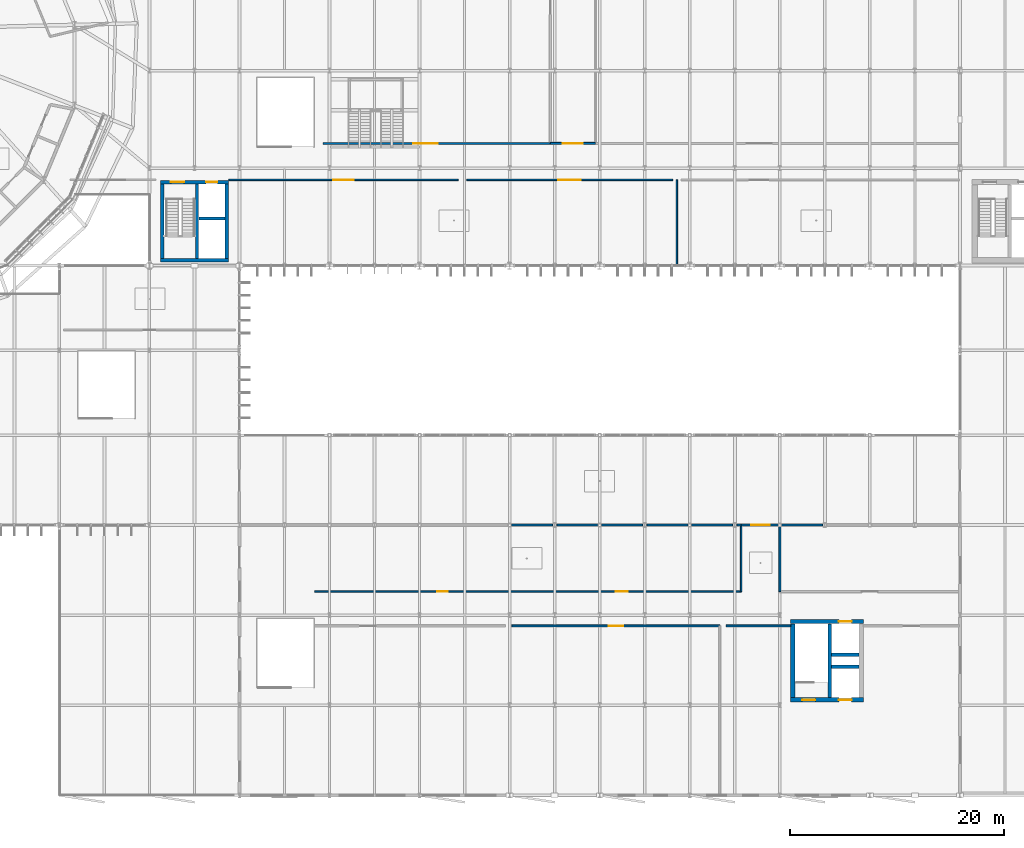
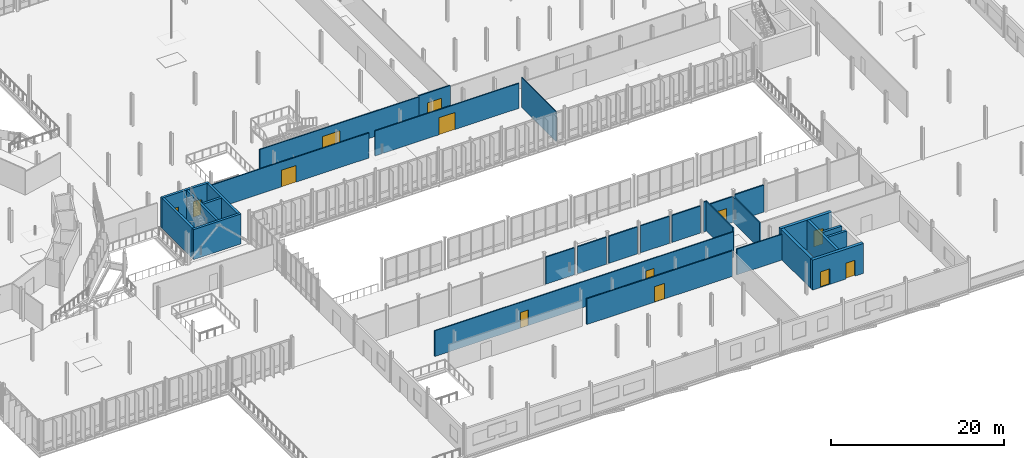
# One storey, part 103 of 139: 30 walls, 13 doors, 13 openings.
"""IFC4 building model written with IfcOpenShell, lengths in metres."""

from ifc_helpers import new_model, si_unit, derived_unit, direction, frame, frame_2d, origin, place, context, subcontext, project, spatial, rectangle, extrude, material, layer, layer_set, type_object, element, fill, save


model = new_model("IFC4")

# Units and contexts
model_context = context("Model", 3, precision=1e-05, world=origin(), true_north=direction((0.0, 1.0)))
body_context = subcontext(model_context, "Body", "Model", "MODEL_VIEW")
ifc_project = project(units=[si_unit("LENGTHUNIT", "METRE"), si_unit("AREAUNIT", "SQUARE_METRE"), si_unit("VOLUMEUNIT", "CUBIC_METRE"), si_unit("PLANEANGLEUNIT", "RADIAN"), si_unit("MASSUNIT", "GRAM", prefix="KILO"), derived_unit("THERMALTRANSMITTANCEUNIT", [(si_unit("MASSUNIT", "GRAM", prefix="KILO"), 1), (si_unit("TIMEUNIT", "SECOND"), -3), (si_unit("THERMODYNAMICTEMPERATUREUNIT", "KELVIN"), -1)])], contexts=[model_context])

# Site, building, storey
site_placement = place(None, origin())
site = spatial("IfcSite", under=ifc_project, at=site_placement, CompositionType="ELEMENT")
building_placement = place(site_placement, origin())
building = spatial("IfcBuilding", under=site, at=building_placement, Name="Makaiwela Harbour Ferry Terminal", CompositionType="ELEMENT")
storey_placement = place(building_placement, frame((0.0, 0.0, 5.10009765625)))
storey = spatial("IfcBuildingStorey", under=building, at=storey_placement, Name="L01", CompositionType="ELEMENT", Elevation=5.10009765625)

# Walls
ifc_material_1 = material(Name="Fire-rated gypsum board on steel studs", Category="steel")
ifc_layer_1 = layer(ifc_material_1, 0.1650390625)
ifc_layer_set_1 = layer_set([ifc_layer_1], Name="Fire-rated gypsum board on steel studs")
wall_type_1 = type_object("IfcWallType", Name="INT-WL-FIR165", PredefinedType="PARTITIONING", material=ifc_layer_set_1)
wall_1_placement = place(storey_placement, frame((96.751953125, 25.199951171875, 0.0), z_axis=(0.0, 0.0, 1.0), x_axis=(1.0, 0.0, 0.0)))
element("IfcWall", 1, at=wall_1_placement, inside=storey, type_object=wall_type_1, Name="Interior Wall IW-0516", PredefinedType="PARTITIONING", context=body_context, shape_type="SweptSolid", body=[
    extrude(rectangle(XDim=3.8486328125, YDim=0.1650390625, at=frame_2d((1.92431640625, 0.0))), origin(), (0.0, 0.0, 1.0), 3.803955078125),
])
for number, where, z_axis, x_axis, name in (
    (2, (100.99951171875, 25.199951171875, 0.0), (0.0, 0.0, 1.0), (1.0, 0.0, 0.0), "Interior Wall IW-0517"),
    (3, (105.152099609375, 25.199951171875, 0.0), (0.0, 0.0, 1.0), (1.0, 0.0, 0.0), "Interior Wall IW-0518"),
):
    element("IfcWall", number, at=place(storey_placement, frame(where, z_axis=z_axis, x_axis=x_axis)), inside=storey, type_object=wall_type_1, Name=name, PredefinedType="PARTITIONING", context=body_context, shape_type="SweptSolid", body=[
        extrude(rectangle(XDim=3.848388671875, YDim=0.1650390625, at=frame_2d((1.92431640625, 0.0))), origin(), (0.0, 0.0, 1.0), 3.803955078125),
    ])
wall_2_placement = place(storey_placement, frame((109.3994140625, 25.199951171875, 0.0), z_axis=(0.0, 0.0, 1.0), x_axis=(1.0, 0.0, 0.0)))
element("IfcWall", 4, at=wall_2_placement, inside=storey, type_object=wall_type_1, Name="Interior Wall IW-0519", PredefinedType="PARTITIONING", context=body_context, shape_type="SweptSolid", body=[
    extrude(rectangle(XDim=3.8486328125, YDim=0.1650390625, at=frame_2d((1.92431640625, 0.0))), origin(), (0.0, 0.0, 1.0), 3.803955078125),
])
wall_3_placement = place(storey_placement, frame((113.552001953125, 25.199951171875, 0.0), z_axis=(0.0, 0.0, 1.0), x_axis=(1.0, 0.0, 0.0)))
element("IfcWall", 5, at=wall_3_placement, inside=storey, type_object=wall_type_1, Name="Interior Wall IW-0520", PredefinedType="PARTITIONING", context=body_context, shape_type="SweptSolid", body=[
    extrude(rectangle(XDim=3.848388671875, YDim=0.1650390625, at=frame_2d((1.92431640625, 0.0))), origin(), (0.0, 0.0, 1.0), 3.803955078125),
])
wall_4_placement = place(storey_placement, frame((117.799560546875, 25.199951171875, 0.0), z_axis=(0.0, 0.0, 1.0), x_axis=(1.0, 0.0, 0.0)))
element("IfcWall", 6, at=wall_4_placement, inside=storey, type_object=wall_type_1, Name="Interior Wall IW-0521", PredefinedType="PARTITIONING", context=body_context, shape_type="SweptSolid", body=[
    extrude(rectangle(XDim=0.400390625, YDim=0.1650390625, at=frame_2d((0.2001953125, 0.0))), origin(), (0.0, 0.0, 1.0), 4.199951171875),
])

# Wall, opening, door
wall_5_placement = place(storey_placement, frame((118.199951171875, 25.199951171875, 0.0), z_axis=(0.0, 0.0, 1.0), x_axis=(1.0, 0.0, 0.0)))
wall_5 = element("IfcWall", 7, at=wall_5_placement, inside=storey, type_object=wall_type_1, Name="Interior Wall IW-0522", PredefinedType="PARTITIONING", context=body_context, shape_type="SweptSolid", body=[
    extrude(rectangle(XDim=3.60009765625, YDim=0.1650390625, at=frame_2d((1.800048828125, 0.0))), origin(), (0.0, 0.0, 1.0), 3.622802734375),
])
opening_1_placement = place(wall_5_placement, frame((0.949951171875, 0.0, 0.0)))
opening_1 = element("IfcOpeningElement", 8, at=opening_1_placement, cuts=wall_5, Name="Opening D-04", PredefinedType="OPENING", context=body_context, shape_type="SweptSolid", body=[
    extrude(rectangle(XDim=1.699951171875, YDim=2.25, at=frame_2d((0.85009765625, 1.125))), frame((0.0, 0.092529296875, 0.0), z_axis=(0.0, -1.0, 0.0), x_axis=(1.0, 0.0, 0.0)), (0.0, 0.0, 1.0), 0.18505859375),
])
ifc_material_2 = material(Name="Insulated galvanised fire-rated steel leaf and frame", Category="steel")
door_type_1 = type_object("IfcDoorType", Name="INT-DR-COR170", OperationType="NOTDEFINED", PredefinedType="DOOR", material=ifc_material_2)
door_1_placement = place(opening_1_placement, frame((1.699951171875, 0.0, 0.0), z_axis=(0.0, 0.0, 1.0), x_axis=(-1.0, 0.0, 0.0)))
door_1 = element("IfcDoor", 9, at=door_1_placement, inside=storey, type_object=door_type_1, Name="Door D-04", OperationType="DOUBLE_DOOR_SINGLE_SWING", OverallHeight=2.25, OverallWidth=1.699951171875, PredefinedType="DOOR", context=body_context, shape_type="SweptSolid", body=[
    extrude(rectangle(XDim=1.699951171875, YDim=2.25, at=frame_2d((0.85009765625, 1.125))), frame((0.0, 0.02490234375, 0.0), z_axis=(0.0, -1.0, 0.0), x_axis=(1.0, 0.0, 0.0)), (0.0, 0.0, 1.0), 0.050048828125),
])
fill(opening_1, door_1)

# Walls
wall_6_placement = place(storey_placement, frame((121.951904296875, 25.199951171875, 0.0), z_axis=(0.0, 0.0, 1.0), x_axis=(1.0, 0.0, 0.0)))
element("IfcWall", 10, at=wall_6_placement, inside=storey, type_object=wall_type_1, Name="Interior Wall IW-0523", PredefinedType="PARTITIONING", context=body_context, shape_type="SweptSolid", body=[
    extrude(rectangle(XDim=3.8486328125, YDim=0.1650390625, at=frame_2d((1.92431640625, 0.0))), origin(), (0.0, 0.0, 1.0), 3.803955078125),
])
wall_7_placement = place(storey_placement, frame((116.800048828125, 15.800048828125, 0.0), z_axis=(0.0, 0.0, 1.0), x_axis=(1.0, 0.0, 0.0)))
element("IfcWall", 11, at=wall_7_placement, inside=storey, type_object=wall_type_1, Name="Interior Wall IW-0529", PredefinedType="PARTITIONING", context=body_context, shape_type="SweptSolid", body=[
    extrude(rectangle(XDim=6.0, YDim=0.1650390625, at=frame_2d((3.0, 0.0))), origin(), (0.0, 0.0, 1.0), 3.622802734375),
])

# Wall, opening, door
wall_8_placement = place(storey_placement, frame((96.800048828125, 15.800048828125, 0.0), z_axis=(0.0, 0.0, 1.0), x_axis=(1.0, 0.0, 0.0)))
wall_8 = element("IfcWall", 12, at=wall_8_placement, inside=storey, type_object=wall_type_1, Name="Interior Wall IW-0531", PredefinedType="PARTITIONING", context=body_context, shape_type="SweptSolid", body=[
    extrude(rectangle(XDim=19.39990234375, YDim=0.1650390625, at=frame_2d((9.699951171875, 0.0))), origin(), (0.0, 0.0, 1.0), 3.622802734375),
])
opening_2_placement = place(wall_8_placement, frame((9.02490234375, 0.0, 0.0)))
opening_2 = element("IfcOpeningElement", 13, at=opening_2_placement, cuts=wall_8, Name="Opening D-15", PredefinedType="OPENING", context=body_context, shape_type="SweptSolid", body=[
    extrude(rectangle(XDim=1.35009765625, YDim=2.199951171875, at=frame_2d((0.675048828125, 1.10009765625))), frame((0.0, 0.092529296875, 0.0), z_axis=(0.0, -1.0, 0.0), x_axis=(1.0, 0.0, 0.0)), (0.0, 0.0, 1.0), 0.18505859375),
])
door_type_2 = type_object("IfcDoorType", Name="INT-DR-STR135", OperationType="NOTDEFINED", PredefinedType="DOOR", material=ifc_material_2)
door_2_placement = place(opening_2_placement, origin())
door_2 = element("IfcDoor", 14, at=door_2_placement, inside=storey, type_object=door_type_2, Name="Door D-15", OperationType="SINGLE_SWING_LEFT", OverallHeight=2.199951171875, OverallWidth=1.35009765625, PredefinedType="DOOR", context=body_context, shape_type="SweptSolid", body=[
    extrude(rectangle(XDim=1.35009765625, YDim=2.199951171875, at=frame_2d((0.675048828125, 1.10009765625))), frame((0.0, 0.02490234375, 0.0), z_axis=(0.0, -1.0, 0.0), x_axis=(1.0, 0.0, 0.0)), (0.0, 0.0, 1.0), 0.050048828125),
])
fill(opening_2, door_2)

ifc_layer_2 = layer(ifc_material_1, 0.179931640625)
ifc_layer_set_2 = layer_set([ifc_layer_2], Name="Fire-rated gypsum board on steel studs")
wall_type_2 = type_object("IfcWallType", Name="INT-WL-FIR180", PredefinedType="PARTITIONING", material=ifc_layer_set_2)
wall_9_placement = place(storey_placement, frame((100.39990234375, 60.800048828125, 0.0), z_axis=(0.0, 0.0, 1.0), x_axis=(1.0, 0.0, 0.0)))
wall_9 = element("IfcWall", 15, at=wall_9_placement, inside=storey, type_object=wall_type_2, Name="Interior Wall IW-0504", PredefinedType="PARTITIONING", context=body_context, shape_type="SweptSolid", body=[
    extrude(rectangle(XDim=4.2001953125, YDim=0.179931640625, at=frame_2d((2.10009765625, 0.0))), origin(), (0.0, 0.0, 1.0), 3.677978515625),
])
opening_3_placement = place(wall_9_placement, frame((1.175048828125, 0.0, 0.0)))
opening_3 = element("IfcOpeningElement", 16, at=opening_3_placement, cuts=wall_9, Name="Opening D-05", PredefinedType="OPENING", context=body_context, shape_type="SweptSolid", body=[
    extrude(rectangle(XDim=1.85009765625, YDim=2.300048828125, at=frame_2d((0.925048828125, 1.14990234375))), frame((0.0, 0.099853515625, 0.0), z_axis=(0.0, -1.0, 0.0), x_axis=(1.0, 0.0, 0.0)), (0.0, 0.0, 1.0), 0.199951171875),
])
door_type_3 = type_object("IfcDoorType", Name="INT-DR-COR185", OperationType="NOTDEFINED", PredefinedType="DOOR", material=ifc_material_2)
door_3_placement = place(opening_3_placement, frame((1.85009765625, 0.0, 0.0), z_axis=(0.0, 0.0, 1.0), x_axis=(-1.0, 0.0, 0.0)))
door_3 = element("IfcDoor", 17, at=door_3_placement, inside=storey, type_object=door_type_3, Name="Door D-05", OperationType="DOUBLE_DOOR_SINGLE_SWING", OverallHeight=2.300048828125, OverallWidth=1.85009765625, PredefinedType="DOOR", context=body_context, shape_type="SweptSolid", body=[
    extrude(rectangle(XDim=1.85009765625, YDim=2.300048828125, at=frame_2d((0.925048828125, 1.14990234375))), frame((0.0, 0.02490234375, 0.0), z_axis=(0.0, -1.0, 0.0), x_axis=(1.0, 0.0, 0.0)), (0.0, 0.0, 1.0), 0.050048828125),
])
fill(opening_3, door_3)

# Walls
wall_10_placement = place(storey_placement, frame((121.800048828125, 19.0, 0.0), z_axis=(0.0, 0.0, 1.0), x_axis=(0.0, 1.0, 0.0)))
element("IfcWall", 18, at=wall_10_placement, inside=storey, type_object=wall_type_2, Name="Interior Wall IW-0528", PredefinedType="PARTITIONING", context=body_context, shape_type="SweptSolid", body=[
    extrude(rectangle(XDim=6.199951171875, YDim=0.179931640625, at=frame_2d((3.10009765625, 0.0))), origin(), (0.0, 0.0, 1.0), 3.622802734375),
])
ifc_material_3 = material(Name="Moisture-resistant acoustic gypsum partition", Category="gypsum")
ifc_layer_3 = layer(ifc_material_3, 0.1201171875)
ifc_layer_set_3 = layer_set([ifc_layer_3], Name="Moisture-resistant acoustic gypsum partition")
wall_type_3 = type_object("IfcWallType", Name="INT-WL-PRT120", PredefinedType="PARTITIONING", material=ifc_layer_set_3)
wall_11_placement = place(storey_placement, frame((112.199951171875, 49.419921875, 0.0), z_axis=(0.0, 0.0, 1.0), x_axis=(0.0, 1.0, 0.0)))
element("IfcWall", 19, at=wall_11_placement, inside=storey, type_object=wall_type_3, Name="Interior Wall IW-0507", PredefinedType="PARTITIONING", context=body_context, shape_type="SweptSolid", body=[
    extrude(rectangle(XDim=7.97998046875, YDim=0.1201171875, at=frame_2d((3.989990234375, 0.0))), origin(), (0.0, 0.0, 1.0), 4.199951171875),
])
ifc_layer_4 = layer(ifc_material_3, 0.139892578125)
ifc_layer_set_4 = layer_set([ifc_layer_4], Name="Moisture-resistant acoustic gypsum partition")
wall_type_4 = type_object("IfcWallType", Name="INT-WL-PRT140", PredefinedType="PARTITIONING", material=ifc_layer_set_4)
wall_12_placement = place(storey_placement, frame((118.199951171875, 19.0, 0.0), z_axis=(0.0, 0.0, 1.0), x_axis=(0.0, 1.0, 0.0)))
element("IfcWall", 20, at=wall_12_placement, inside=storey, type_object=wall_type_4, Name="Interior Wall IW-0527", PredefinedType="PARTITIONING", context=body_context, shape_type="SweptSolid", body=[
    extrude(rectangle(XDim=6.199951171875, YDim=0.139892578125, at=frame_2d((3.10009765625, 0.0))), origin(), (0.0, 0.0, 1.0), 4.199951171875),
])

# Wall, openings, doors
wall_13_placement = place(storey_placement, frame((78.39990234375, 19.0, 0.0), z_axis=(0.0, 0.0, 1.0), x_axis=(1.0, 0.0, 0.0)))
wall_13 = element("IfcWall", 21, at=wall_13_placement, inside=storey, type_object=wall_type_4, Name="Interior Wall IW-0534", PredefinedType="PARTITIONING", context=body_context, shape_type="SweptSolid", body=[
    extrude(rectangle(XDim=39.800048828125, YDim=0.139892578125, at=frame_2d((19.89990234375, 0.0))), origin(), (0.0, 0.0, 1.0), 3.622802734375),
])
opening_4_placement = place(wall_13_placement, frame((11.429931640625, 0.0, 0.0)))
opening_4 = element("IfcOpeningElement", 22, at=opening_4_placement, cuts=wall_13, Name="Opening D-13", PredefinedType="OPENING", context=body_context, shape_type="SweptSolid", body=[
    extrude(rectangle(XDim=1.02001953125, YDim=2.199951171875, at=frame_2d((0.510009765625, 1.10009765625))), frame((0.0, 0.079833984375, 0.0), z_axis=(0.0, -1.0, 0.0), x_axis=(1.0, 0.0, 0.0)), (0.0, 0.0, 1.0), 0.159912109375),
])
opening_5_placement = place(wall_13_placement, frame((28.115966796875, 0.0, 0.0)))
opening_5 = element("IfcOpeningElement", 23, at=opening_5_placement, cuts=wall_13, Name="Opening D-14", PredefinedType="OPENING", context=body_context, shape_type="SweptSolid", body=[
    extrude(rectangle(XDim=1.080078125, YDim=2.199951171875, at=frame_2d((0.5400390625, 1.10009765625))), frame((0.0, 0.079833984375, 0.0), z_axis=(0.0, -1.0, 0.0), x_axis=(1.0, 0.0, 0.0)), (0.0, 0.0, 1.0), 0.159912109375),
])
ifc_material_4 = material(Name="Solid-core marine hardwood and painted steel frame", Category="steel")
door_type_4 = type_object("IfcDoorType", Name="INT-DR-OFF102", OperationType="NOTDEFINED", PredefinedType="DOOR", material=ifc_material_4)
door_4_placement = place(opening_4_placement, frame((1.02001953125, 0.0, 0.0), z_axis=(0.0, 0.0, 1.0), x_axis=(-1.0, 0.0, 0.0)))
door_4 = element("IfcDoor", 24, at=door_4_placement, inside=storey, type_object=door_type_4, Name="Door D-13", OperationType="SINGLE_SWING_LEFT", OverallHeight=2.199951171875, OverallWidth=1.02001953125, PredefinedType="DOOR", context=body_context, shape_type="SweptSolid", body=[
    extrude(rectangle(XDim=1.02001953125, YDim=2.199951171875, at=frame_2d((0.510009765625, 1.10009765625))), frame((0.0, 0.02490234375, 0.0), z_axis=(0.0, -1.0, 0.0), x_axis=(1.0, 0.0, 0.0)), (0.0, 0.0, 1.0), 0.050048828125),
])
fill(opening_4, door_4)
door_type_5 = type_object("IfcDoorType", Name="INT-DR-OFF108", OperationType="NOTDEFINED", PredefinedType="DOOR", material=ifc_material_4)
door_5_placement = place(opening_5_placement, frame((1.080078125, 0.0, 0.0), z_axis=(0.0, 0.0, 1.0), x_axis=(-1.0, 0.0, 0.0)))
door_5 = element("IfcDoor", 25, at=door_5_placement, inside=storey, type_object=door_type_5, Name="Door D-14", OperationType="SINGLE_SWING_RIGHT", OverallHeight=2.199951171875, OverallWidth=1.080078125, PredefinedType="DOOR", context=body_context, shape_type="SweptSolid", body=[
    extrude(rectangle(XDim=1.080078125, YDim=2.199951171875, at=frame_2d((0.5400390625, 1.10009765625))), frame((0.0, 0.02490234375, 0.0), z_axis=(0.0, -1.0, 0.0), x_axis=(1.0, 0.0, 0.0)), (0.0, 0.0, 1.0), 0.050048828125),
])
fill(opening_5, door_5)

# Wall, opening, door
ifc_layer_5 = layer(ifc_material_3, 0.14990234375)
ifc_layer_set_5 = layer_set([ifc_layer_5], Name="Moisture-resistant acoustic gypsum partition")
wall_type_5 = type_object("IfcWallType", Name="INT-WL-PRT150", PredefinedType="PARTITIONING", material=ifc_layer_set_5)
wall_14_placement = place(storey_placement, frame((70.39990234375, 57.39990234375, 0.0), z_axis=(0.0, 0.0, 1.0), x_axis=(1.0, 0.0, 0.0)))
wall_14 = element("IfcWall", 26, at=wall_14_placement, inside=storey, type_object=wall_type_5, Name="Interior Wall IW-0499", PredefinedType="PARTITIONING", context=body_context, shape_type="SweptSolid", body=[
    extrude(rectangle(XDim=21.400146484375, YDim=0.14990234375, at=frame_2d((10.7001953125, 0.0))), origin(), (0.0, 0.0, 1.0), 3.52197265625),
])
opening_6_placement = place(wall_14_placement, frame((9.72509765625, 0.0, 0.0)))
opening_6 = element("IfcOpeningElement", 27, at=opening_6_placement, cuts=wall_14, Name="Opening D-19", PredefinedType="OPENING", context=body_context, shape_type="SweptSolid", body=[
    extrude(rectangle(XDim=1.949951171875, YDim=2.35009765625, at=frame_2d((0.97509765625, 1.175048828125))), frame((0.0, 0.0849609375, 0.0), z_axis=(0.0, -1.0, 0.0), x_axis=(1.0, 0.0, 0.0)), (0.0, 0.0, 1.0), 0.169921875),
])
door_type_6 = type_object("IfcDoorType", Name="INT-DR-RET195", OperationType="NOTDEFINED", PredefinedType="DOOR", material=ifc_material_4)
door_6_placement = place(opening_6_placement, origin())
door_6 = element("IfcDoor", 28, at=door_6_placement, inside=storey, type_object=door_type_6, Name="Door D-19", OperationType="DOUBLE_DOOR_SINGLE_SWING", OverallHeight=2.35009765625, OverallWidth=1.949951171875, PredefinedType="DOOR", context=body_context, shape_type="SweptSolid", body=[
    extrude(rectangle(XDim=1.949951171875, YDim=2.35009765625, at=frame_2d((0.97509765625, 1.175048828125))), frame((0.0, 0.02490234375, 0.0), z_axis=(0.0, -1.0, 0.0), x_axis=(1.0, 0.0, 0.0)), (0.0, 0.0, 1.0), 0.050048828125),
])
fill(opening_6, door_6)

wall_15_placement = place(storey_placement, frame((92.60009765625, 57.39990234375, 0.0), z_axis=(0.0, 0.0, 1.0), x_axis=(1.0, 0.0, 0.0)))
wall_15 = element("IfcWall", 29, at=wall_15_placement, inside=storey, type_object=wall_type_5, Name="Interior Wall IW-0500", PredefinedType="PARTITIONING", context=body_context, shape_type="SweptSolid", body=[
    extrude(rectangle(XDim=19.199951171875, YDim=0.14990234375, at=frame_2d((9.60009765625, 0.0))), origin(), (0.0, 0.0, 1.0), 3.52197265625),
])
opening_7_placement = place(wall_15_placement, frame((8.550048828125, 0.0, 0.0)))
opening_7 = element("IfcOpeningElement", 30, at=opening_7_placement, cuts=wall_15, Name="Opening D-20", PredefinedType="OPENING", context=body_context, shape_type="SweptSolid", body=[
    extrude(rectangle(XDim=2.10009765625, YDim=2.39990234375, at=frame_2d((1.050048828125, 1.199951171875))), frame((0.0, 0.0849609375, 0.0), z_axis=(0.0, -1.0, 0.0), x_axis=(1.0, 0.0, 0.0)), (0.0, 0.0, 1.0), 0.169921875),
])
door_type_7 = type_object("IfcDoorType", Name="INT-DR-RET210", OperationType="NOTDEFINED", PredefinedType="DOOR", material=ifc_material_4)
door_7_placement = place(opening_7_placement, origin())
door_7 = element("IfcDoor", 31, at=door_7_placement, inside=storey, type_object=door_type_7, Name="Door D-20", OperationType="DOUBLE_DOOR_SINGLE_SWING", OverallHeight=2.39990234375, OverallWidth=2.10009765625, PredefinedType="DOOR", context=body_context, shape_type="SweptSolid", body=[
    extrude(rectangle(XDim=2.10009765625, YDim=2.39990234375, at=frame_2d((1.050048828125, 1.199951171875))), frame((0.0, 0.02490234375, 0.0), z_axis=(0.0, -1.0, 0.0), x_axis=(1.0, 0.0, 0.0)), (0.0, 0.0, 1.0), 0.050048828125),
])
fill(opening_7, door_7)

wall_16_placement = place(storey_placement, frame((79.199951171875, 60.800048828125, 0.0), z_axis=(0.0, 0.0, 1.0), x_axis=(1.0, 0.0, 0.0)))
wall_16 = element("IfcWall", 32, at=wall_16_placement, inside=storey, type_object=wall_type_5, Name="Interior Wall IW-0502", PredefinedType="PARTITIONING", context=body_context, shape_type="SweptSolid", body=[
    extrude(rectangle(XDim=21.199951171875, YDim=0.14990234375, at=frame_2d((10.60009765625, 0.0))), origin(), (0.0, 0.0, 1.0), 3.52197265625),
])
opening_8_placement = place(wall_16_placement, frame((8.389892578125, 0.0, 0.0)))
opening_8 = element("IfcOpeningElement", 33, at=opening_8_placement, cuts=wall_16, Name="Opening D-23", PredefinedType="OPENING", context=body_context, shape_type="SweptSolid", body=[
    extrude(rectangle(XDim=2.300048828125, YDim=2.449951171875, at=frame_2d((1.14990234375, 1.22509765625))), frame((0.0, 0.0849609375, 0.0), z_axis=(0.0, -1.0, 0.0), x_axis=(1.0, 0.0, 0.0)), (0.0, 0.0, 1.0), 0.169921875),
])
door_type_8 = type_object("IfcDoorType", Name="INT-DR-CON230", OperationType="NOTDEFINED", PredefinedType="DOOR", material=ifc_material_4)
door_8_placement = place(opening_8_placement, frame((2.300048828125, 0.0, 0.0), z_axis=(0.0, 0.0, 1.0), x_axis=(-1.0, 0.0, 0.0)))
door_8 = element("IfcDoor", 34, at=door_8_placement, inside=storey, type_object=door_type_8, Name="Door D-23", OperationType="DOUBLE_DOOR_SINGLE_SWING", OverallHeight=2.449951171875, OverallWidth=2.300048828125, PredefinedType="DOOR", context=body_context, shape_type="SweptSolid", body=[
    extrude(rectangle(XDim=2.300048828125, YDim=2.449951171875, at=frame_2d((1.14990234375, 1.22509765625))), frame((0.0, 0.02490234375, 0.0), z_axis=(0.0, -1.0, 0.0), x_axis=(1.0, 0.0, 0.0)), (0.0, 0.0, 1.0), 0.050048828125),
])
fill(opening_8, door_8)

# Wall
ifc_material_5 = material(Name="Concrete f'c 45 MPa (6500 psi)", Category="concrete")
ifc_layer_6 = layer(ifc_material_5, 0.320068359375)
ifc_layer_set_6 = layer_set([ifc_layer_6], Name="Concrete f'c 45 MPa (6500 psi)")
wall_type_6 = type_object("IfcWallType", Name="INT-WL-SHR320", PredefinedType="SHEAR", material=ifc_layer_set_6)
wall_17_placement = place(storey_placement, frame((64.0400390625, 49.89990234375, 0.0), z_axis=(0.0, 0.0, 1.0), x_axis=(1.0, 0.0, 0.0)))
element("IfcWall", 35, at=wall_17_placement, inside=storey, type_object=wall_type_6, Name="Interior Wall IW-0172", PredefinedType="SHEAR", context=body_context, shape_type="SweptSolid", body=[
    extrude(rectangle(XDim=6.320068359375, YDim=0.320068359375, at=frame_2d((3.16015625, 0.0))), origin(), (0.0, 0.0, 1.0), 4.219970703125),
])

# Wall, openings, doors
wall_18_placement = place(storey_placement, frame((64.0400390625, 57.199951171875, 0.0), z_axis=(0.0, 0.0, 1.0), x_axis=(1.0, 0.0, 0.0)))
wall_18 = element("IfcWall", 36, at=wall_18_placement, inside=storey, type_object=wall_type_6, Name="Interior Wall IW-0173", PredefinedType="SHEAR", context=body_context, shape_type="SweptSolid", body=[
    extrude(rectangle(XDim=6.320068359375, YDim=0.320068359375, at=frame_2d((3.16015625, 0.0))), origin(), (0.0, 0.0, 1.0), 4.219970703125),
])
opening_9_placement = place(wall_18_placement, frame((0.955078125, 0.0, 0.0)))
opening_9 = element("IfcOpeningElement", 37, at=opening_9_placement, cuts=wall_18, Name="Opening D-02", PredefinedType="OPENING", context=body_context, shape_type="SweptSolid", body=[
    extrude(rectangle(XDim=1.25, YDim=2.199951171875, at=frame_2d((0.625, 1.10009765625))), frame((0.0, 0.169921875, 0.0), z_axis=(0.0, -1.0, 0.0), x_axis=(1.0, 0.0, 0.0)), (0.0, 0.0, 1.0), 0.340087890625),
])
opening_10_placement = place(wall_18_placement, frame((4.2548828125, 0.0, 0.0)))
opening_10 = element("IfcOpeningElement", 38, at=opening_10_placement, cuts=wall_18, Name="Opening LD-01", PredefinedType="OPENING", context=body_context, shape_type="SweptSolid", body=[
    extrude(rectangle(XDim=1.050048828125, YDim=2.14990234375, at=frame_2d((0.52490234375, 1.074951171875))), frame((0.0, 0.169921875, 0.0), z_axis=(0.0, -1.0, 0.0), x_axis=(1.0, 0.0, 0.0)), (0.0, 0.0, 1.0), 0.340087890625),
])
ifc_material_6 = material(Name="Marine grade 316L brushed stainless steel", Category="steel")
door_type_9 = type_object("IfcDoorType", Name="INT-DR-LD105", OperationType="NOTDEFINED", PredefinedType="DOOR", material=ifc_material_6)
door_9_placement = place(opening_10_placement, origin())
door_9 = element("IfcDoor", 39, at=door_9_placement, inside=storey, type_object=door_type_9, Name="Door LD-01", OperationType="DOUBLE_DOOR_SLIDING", OverallHeight=2.14990234375, OverallWidth=1.050048828125, PredefinedType="DOOR", context=body_context, shape_type="SweptSolid", body=[
    extrude(rectangle(XDim=1.050048828125, YDim=2.14990234375, at=frame_2d((0.52490234375, 1.074951171875))), frame((0.0, 0.02490234375, 0.0), z_axis=(0.0, -1.0, 0.0), x_axis=(1.0, 0.0, 0.0)), (0.0, 0.0, 1.0), 0.050048828125),
])
fill(opening_10, door_9)
door_type_10 = type_object("IfcDoorType", Name="INT-DR-ST125", OperationType="NOTDEFINED", PredefinedType="DOOR", material=ifc_material_2)
door_10_placement = place(opening_9_placement, origin())
door_10 = element("IfcDoor", 40, at=door_10_placement, inside=storey, type_object=door_type_10, Name="Door D-02", OperationType="SINGLE_SWING_LEFT", OverallHeight=2.199951171875, OverallWidth=1.25, PredefinedType="DOOR", context=body_context, shape_type="SweptSolid", body=[
    extrude(rectangle(XDim=1.25, YDim=2.199951171875, at=frame_2d((0.625, 1.10009765625))), frame((0.0, 0.02490234375, 0.0), z_axis=(0.0, -1.0, 0.0), x_axis=(1.0, 0.0, 0.0)), (0.0, 0.0, 1.0), 0.050048828125),
])
fill(opening_9, door_10)

# Walls
for number, where, z_axis, x_axis, name in (
    (41, (64.199951171875, 50.070068359375, 0.0), (0.0, 0.0, 1.0), (0.0, 1.0, 0.0), "Interior Wall IW-0174"),
    (42, (70.199951171875, 50.070068359375, 0.0), (0.0, 0.0, 1.0), (0.0, 1.0, 0.0), "Interior Wall IW-0175"),
    (43, (67.43994140625, 50.070068359375, 0.0), (0.0, 0.0, 1.0), (0.0, 1.0, 0.0), "Interior Wall IW-0176"),
):
    element("IfcWall", number, at=place(storey_placement, frame(where, z_axis=z_axis, x_axis=x_axis)), inside=storey, type_object=wall_type_6, Name=name, PredefinedType="SHEAR", context=body_context, shape_type="SweptSolid", body=[
        extrude(rectangle(XDim=6.9599609375, YDim=0.320068359375, at=frame_2d((3.47998046875, 0.0))), origin(), (0.0, 0.0, 1.0), 4.219970703125),
    ])
wall_19_placement = place(storey_placement, frame((67.60498046875, 53.800048828125, 0.0), z_axis=(0.0, 0.0, 1.0), x_axis=(1.0, 0.0, 0.0)))
element("IfcWall", 44, at=wall_19_placement, inside=storey, type_object=wall_type_6, Name="Interior Wall IW-0177", PredefinedType="SHEAR", context=body_context, shape_type="SweptSolid", body=[
    extrude(rectangle(XDim=2.429931640625, YDim=0.320068359375, at=frame_2d((1.21484375, 0.0))), origin(), (0.0, 0.0, 1.0), 4.219970703125),
])
wall_20_placement = place(storey_placement, frame((126.4560546875, 9.110107421875, 0.0), z_axis=(0.0, 0.0, 1.0), x_axis=(0.0, 1.0, 0.0)))
element("IfcWall", 45, at=wall_20_placement, inside=storey, type_object=wall_type_6, Name="Interior Wall IW-0225", PredefinedType="SHEAR", context=body_context, shape_type="SweptSolid", body=[
    extrude(rectangle(XDim=6.8798828125, YDim=0.320068359375, at=frame_2d((3.43994140625, 0.0))), origin(), (0.0, 0.0, 1.0), 4.219970703125),
])
for number, where, z_axis, x_axis, name in (
    (46, (126.62109375, 11.989990234375, 0.0), (0.0, 0.0, 1.0), (1.0, 0.0, 0.0), "Interior Wall IW-0226"),
    (47, (126.62109375, 13.110107421875, 0.0), (0.0, 0.0, 1.0), (1.0, 0.0, 0.0), "Interior Wall IW-0227"),
):
    element("IfcWall", number, at=place(storey_placement, frame(where, z_axis=z_axis, x_axis=x_axis)), inside=storey, type_object=wall_type_6, Name=name, PredefinedType="SHEAR", context=body_context, shape_type="SweptSolid", body=[
        extrude(rectangle(XDim=2.573974609375, YDim=0.320068359375, at=frame_2d((1.287109375, 0.0))), origin(), (0.0, 0.0, 1.0), 4.219970703125),
    ])

# Wall, openings, doors
ifc_layer_7 = layer(ifc_material_5, 0.39990234375)
ifc_layer_set_7 = layer_set([ifc_layer_7], Name="Concrete f'c 45 MPa (6500 psi)")
wall_type_7 = type_object("IfcWallType", Name="INT-WL-SHR400", PredefinedType="SHEAR", material=ifc_layer_set_7)
wall_21_placement = place(storey_placement, frame((122.800048828125, 8.89990234375, 0.0), z_axis=(0.0, 0.0, 1.0), x_axis=(1.0, 0.0, 0.0)))
wall_21 = element("IfcWall", 48, at=wall_21_placement, inside=storey, type_object=wall_type_7, Name="Interior Wall IW-0221", PredefinedType="SHEAR", context=body_context, shape_type="SweptSolid", body=[
    extrude(rectangle(XDim=6.800048828125, YDim=0.39990234375, at=frame_2d((3.39990234375, 0.0))), origin(), (0.0, 0.0, 1.0), 4.219970703125),
])
opening_11_placement = place(wall_21_placement, frame((1.074951171875, 0.0, 0.0)))
opening_11 = element("IfcOpeningElement", 49, at=opening_11_placement, cuts=wall_21, Name="Opening D-02", PredefinedType="OPENING", context=body_context, shape_type="SweptSolid", body=[
    extrude(rectangle(XDim=1.25, YDim=2.199951171875, at=frame_2d((0.625, 1.10009765625))), frame((0.0, 0.2099609375, 0.0), z_axis=(0.0, -1.0, 0.0), x_axis=(1.0, 0.0, 0.0)), (0.0, 0.0, 1.0), 0.419921875),
])
opening_12_placement = place(wall_21_placement, frame((4.50830078125, 0.0, 0.0)))
opening_12 = element("IfcOpeningElement", 50, at=opening_12_placement, cuts=wall_21, Name="Opening LD-02", PredefinedType="OPENING", context=body_context, shape_type="SweptSolid", body=[
    extrude(rectangle(XDim=1.199951171875, YDim=2.25, at=frame_2d((0.60009765625, 1.125))), frame((0.0, 0.2099609375, 0.0), z_axis=(0.0, -1.0, 0.0), x_axis=(1.0, 0.0, 0.0)), (0.0, 0.0, 1.0), 0.419921875),
])
door_type_11 = type_object("IfcDoorType", Name="INT-DR-LD120", OperationType="NOTDEFINED", PredefinedType="DOOR", material=ifc_material_6)
door_11_placement = place(opening_12_placement, frame((1.199951171875, 0.0, 0.0), z_axis=(0.0, 0.0, 1.0), x_axis=(-1.0, 0.0, 0.0)))
door_11 = element("IfcDoor", 51, at=door_11_placement, inside=storey, type_object=door_type_11, Name="Door LD-02", OperationType="DOUBLE_DOOR_SLIDING", OverallHeight=2.25, OverallWidth=1.199951171875, PredefinedType="DOOR", context=body_context, shape_type="SweptSolid", body=[
    extrude(rectangle(XDim=1.199951171875, YDim=2.25, at=frame_2d((0.60009765625, 1.125))), frame((0.0, 0.02490234375, 0.0), z_axis=(0.0, -1.0, 0.0), x_axis=(1.0, 0.0, 0.0)), (0.0, 0.0, 1.0), 0.050048828125),
])
fill(opening_12, door_11)
door_12_placement = place(opening_11_placement, frame((1.25, 0.0, 0.0), z_axis=(0.0, 0.0, 1.0), x_axis=(-1.0, 0.0, 0.0)))
door_12 = element("IfcDoor", 52, at=door_12_placement, inside=storey, type_object=door_type_10, Name="Door D-02", OperationType="SINGLE_SWING_LEFT", OverallHeight=2.199951171875, OverallWidth=1.25, PredefinedType="DOOR", context=body_context, shape_type="SweptSolid", body=[
    extrude(rectangle(XDim=1.25, YDim=2.199951171875, at=frame_2d((0.625, 1.10009765625))), frame((0.0, 0.02490234375, 0.0), z_axis=(0.0, -1.0, 0.0), x_axis=(1.0, 0.0, 0.0)), (0.0, 0.0, 1.0), 0.050048828125),
])
fill(opening_11, door_12)

# Wall, opening, door
wall_22_placement = place(storey_placement, frame((122.800048828125, 16.199951171875, 0.0), z_axis=(0.0, 0.0, 1.0), x_axis=(1.0, 0.0, 0.0)))
wall_22 = element("IfcWall", 53, at=wall_22_placement, inside=storey, type_object=wall_type_7, Name="Interior Wall IW-0222", PredefinedType="SHEAR", context=body_context, shape_type="SweptSolid", body=[
    extrude(rectangle(XDim=6.800048828125, YDim=0.39990234375, at=frame_2d((3.39990234375, 0.0))), origin(), (0.0, 0.0, 1.0), 4.219970703125),
])
opening_13_placement = place(wall_22_placement, frame((4.50830078125, 0.0, 0.0)))
opening_13 = element("IfcOpeningElement", 54, at=opening_13_placement, cuts=wall_22, Name="Opening LD-02", PredefinedType="OPENING", context=body_context, shape_type="SweptSolid", body=[
    extrude(rectangle(XDim=1.199951171875, YDim=2.25, at=frame_2d((0.60009765625, 1.125))), frame((0.0, 0.2099609375, 0.0), z_axis=(0.0, -1.0, 0.0), x_axis=(1.0, 0.0, 0.0)), (0.0, 0.0, 1.0), 0.419921875),
])
door_13_placement = place(opening_13_placement, origin())
door_13 = element("IfcDoor", 55, at=door_13_placement, inside=storey, type_object=door_type_11, Name="Door LD-02", OperationType="DOUBLE_DOOR_SLIDING", OverallHeight=2.25, OverallWidth=1.199951171875, PredefinedType="DOOR", context=body_context, shape_type="SweptSolid", body=[
    extrude(rectangle(XDim=1.199951171875, YDim=2.25, at=frame_2d((0.60009765625, 1.125))), frame((0.0, 0.02490234375, 0.0), z_axis=(0.0, -1.0, 0.0), x_axis=(1.0, 0.0, 0.0)), (0.0, 0.0, 1.0), 0.050048828125),
])
fill(opening_13, door_13)

# Wall
wall_23_placement = place(storey_placement, frame((123.0, 9.110107421875, 0.0), z_axis=(0.0, 0.0, 1.0), x_axis=(0.0, 1.0, 0.0)))
element("IfcWall", 56, at=wall_23_placement, inside=storey, type_object=wall_type_7, Name="Interior Wall IW-0223", PredefinedType="SHEAR", context=body_context, shape_type="SweptSolid", body=[
    extrude(rectangle(XDim=6.8798828125, YDim=0.39990234375, at=frame_2d((3.43994140625, 0.0))), origin(), (0.0, 0.0, 1.0), 4.219970703125),
])

save(model, "model.ifc")
